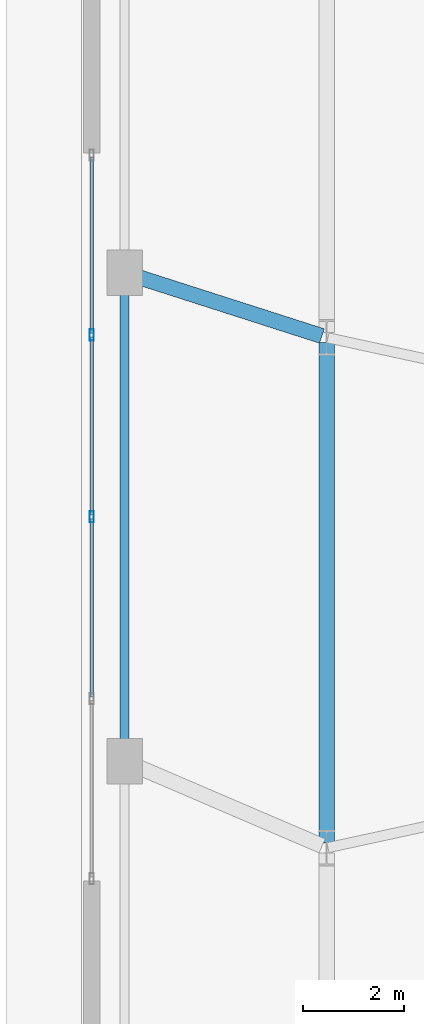
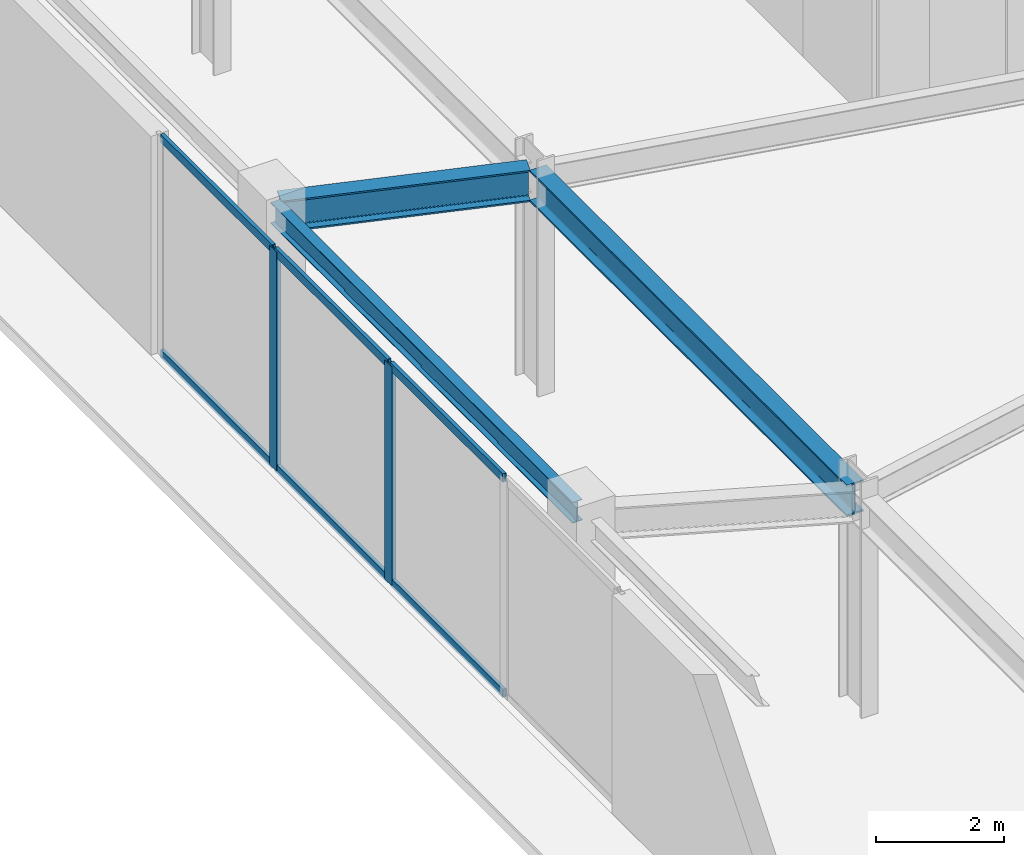
# One storey, part 6 of 21: 8 members, 3 beams, 1 element without a shape of its own.
"""IFC4 building model written with IfcOpenShell, lengths in metres."""

import ifcopenshell
import ifcopenshell.guid

model = None  # the IFC model being written
_history = None  # IfcOwnerHistory: only IFC2X3 demands one
_inside = {}  # id of a spatial element -> (the spatial element, [elements in it])
_under = {}  # id of a project, library or spatial element -> (it, [spatial elements below it])
_declared = {}  # id of a project -> (the project, [libraries it declares])
_typed = {}  # id of a type object -> (the type object, [elements of that type])
_made_of = {}  # id of a material, layer set ... -> (it, [elements and type objects made of it])


def new_model(schema):
    """Start an empty IFC model of exactly this schema.

    Asked for "IFC4X3", IfcOpenShell would pick the latest addendum, in which some entities
    have other attributes; the version numbers below select the first issue.
    IFC2X3 requires an IfcOwnerHistory on every rooted entity: one is made here for all.
    """
    global model, _history
    if schema == "IFC4X3":
        model = ifcopenshell.file(schema_version=(4, 3, 0, 0))
    else:
        model = ifcopenshell.file(schema=schema)
    _inside.clear()
    _under.clear()
    _declared.clear()
    _typed.clear()
    _made_of.clear()
    _history = None
    if model.schema == "IFC2X3":
        org = make("IfcOrganization", Name="unknown")
        user = make(
            "IfcPersonAndOrganization",
            ThePerson=make("IfcPerson", FamilyName="unknown"),
            TheOrganization=org,
        )
        app = make(
            "IfcApplication",
            ApplicationDeveloper=org,
            Version="unknown",
            ApplicationFullName="unknown",
            ApplicationIdentifier="unknown",
        )
        _history = make(
            "IfcOwnerHistory",
            OwningUser=user,
            OwningApplication=app,
            ChangeAction="ADDED",
            CreationDate=0,
        )
    return model


def make(cls, **values):
    """One entity of the class cls with the attributes given. An attribute that is None is left unset."""
    return model.create_entity(
        cls, **{name: value for name, value in values.items() if value is not None}
    )


def rooted(cls, **values):
    """An entity with a GlobalId (a new one), such as an element, a storey or a relation."""
    return make(cls, GlobalId=ifcopenshell.guid.new(), OwnerHistory=_history, **values)


def si_unit(unit_type, name, prefix=None):
    """IfcSIUnit, for example si_unit("LENGTHUNIT", "METRE", prefix="MILLI")."""
    return make("IfcSIUnit", UnitType=unit_type, Prefix=prefix, Name=name)


def assignment(units):
    """IfcUnitAssignment: the units of a project."""
    return None if units is None else make("IfcUnitAssignment", Units=units)


def point(xyz):
    """IfcCartesianPoint."""
    return None if xyz is None else make("IfcCartesianPoint", Coordinates=xyz)


def direction(xyz):
    """IfcDirection."""
    return None if xyz is None else make("IfcDirection", DirectionRatios=xyz)


def frame(location, z_axis=None, x_axis=None):
    """IfcAxis2Placement3D, a coordinate frame: its origin and axes. An axis left out is left unset."""
    return make(
        "IfcAxis2Placement3D",
        Location=point(location),
        Axis=direction(z_axis),
        RefDirection=direction(x_axis),
    )


def frame_2d(location, x_axis=None):
    """IfcAxis2Placement2D, a coordinate frame in the plane: its origin and x axis."""
    return make(
        "IfcAxis2Placement2D", Location=point(location), RefDirection=direction(x_axis)
    )


def origin():
    """The frame at (0, 0, 0) with its axes left unset."""
    return frame((0.0, 0.0, 0.0))


def origin_2d():
    """The frame at (0, 0) in the plane with its x axis left unset."""
    return frame_2d((0.0, 0.0))


def place(relative_to, where):
    """IfcLocalPlacement: puts the frame where relative to a parent placement (None: the world)."""
    return make(
        "IfcLocalPlacement", PlacementRelTo=relative_to, RelativePlacement=where
    )


def context(
    kind, dimensions, precision=None, world=None, true_north=None, identifier=None
):
    """IfcGeometricRepresentationContext, for example the 3D "Model" context."""
    return make(
        "IfcGeometricRepresentationContext",
        ContextIdentifier=identifier,
        ContextType=kind,
        CoordinateSpaceDimension=dimensions,
        Precision=precision,
        WorldCoordinateSystem=world,
        TrueNorth=true_north,
    )


def subcontext(parent, identifier, kind, view, scale=None):
    """IfcGeometricRepresentationSubContext, for example "Body" below "Model"."""
    return make(
        "IfcGeometricRepresentationSubContext",
        ContextIdentifier=identifier,
        ContextType=kind,
        ParentContext=parent,
        TargetScale=scale,
        TargetView=view,
    )


def project(units=None, contexts=None):
    """IfcProject with its units and contexts."""
    return rooted(
        "IfcProject",
        Name="project",
        RepresentationContexts=contexts,
        UnitsInContext=assignment(units),
    )


def spatial(cls, under=None, at=None, **own):
    """A site, building, storey or space (cls), placed at a placement, below another one or the project."""
    s = rooted(cls, ObjectPlacement=at, **own)
    if under is not None:
        _under.setdefault(under.id(), (under, []))[1].append(s)
    return s


def profile(cls, at=None, kind="AREA", **sizes):
    """A parametric profile (cls). Its sizes go by their IFC names, for example OverallWidth=200.0."""
    return make(cls, ProfileType=kind, Position=at, **sizes)


def hollow_rectangle(**sizes):
    """IfcRectangleHollowProfileDef."""
    return profile("IfcRectangleHollowProfileDef", **sizes)


def i_section(**sizes):
    """IfcIShapeProfileDef."""
    return profile("IfcIShapeProfileDef", **sizes)


def extrude(swept, where, along, depth):
    """IfcExtrudedAreaSolid: the profile swept, set in the frame where, extruded along a direction by depth."""
    return make(
        "IfcExtrudedAreaSolid",
        SweptArea=swept,
        Position=where,
        ExtrudedDirection=direction(along),
        Depth=depth,
    )


def shape(context_of_items, identifier, shape_type, items):
    """IfcShapeRepresentation: the items that make up one representation, for example the "Body"."""
    return make(
        "IfcShapeRepresentation",
        ContextOfItems=context_of_items,
        RepresentationIdentifier=identifier,
        RepresentationType=shape_type,
        Items=items,
    )


def material(Name=None, Category=None):
    """IfcMaterial."""
    return make("IfcMaterial", Name=Name, Category=Category)


def layer(
    of_material, thickness, ventilated=None, Name=None, Category=None, Priority=None
):
    """IfcMaterialLayer: one layer of a wall or slab, of a material (None: an air gap)."""
    return make(
        "IfcMaterialLayer",
        Material=of_material,
        LayerThickness=thickness,
        IsVentilated=ventilated,
        Name=Name,
        Category=Category,
        Priority=Priority,
    )


def layer_set(layers, Name=None):
    """IfcMaterialLayerSet."""
    return make("IfcMaterialLayerSet", MaterialLayers=layers, LayerSetName=Name)


def material_profile(
    of_material, cross_section, Name=None, Category=None, Priority=None
):
    """IfcMaterialProfile: a cross section and its material."""
    return make(
        "IfcMaterialProfile",
        Name=Name,
        Material=of_material,
        Profile=cross_section,
        Priority=Priority,
        Category=Category,
    )


def profile_set(profiles, Name=None, composite=None):
    """IfcMaterialProfileSet."""
    return make(
        "IfcMaterialProfileSet",
        Name=Name,
        MaterialProfiles=profiles,
        CompositeProfile=composite,
    )


def made_of(thing, what):
    """Note that an element or type object is made of a material, layer set ...; save() writes the relation."""
    if what is not None:
        _made_of.setdefault(what.id(), (what, []))[1].append(thing)
    return thing


def type_object(cls, material=None, **own):
    """A type object (cls), such as IfcWallType, which elements share."""
    return made_of(rooted(cls, **own), material)


def element(
    cls,
    number,
    at=None,
    inside=None,
    cuts=None,
    type_object=None,
    material=None,
    context=None,
    identifier="Body",
    shape_type=None,
    held_by="IfcProductDefinitionShape",
    body=None,
    shapes=None,
    **own,
):
    """One element of the class cls, such as IfcWall. Its Tag is "e" and its number.

    at: its placement. inside: the storey or other place that contains it. cuts: it is an
    opening in that element (IfcRelVoidsElement). A single representation is given by context,
    identifier, shape_type and body (its items); several are given by shapes. held_by: the class
    of the entity that holds the representations. save() writes the other relations.
    """
    e = rooted(cls, Tag="e%d" % number, ObjectPlacement=at, **own)
    if body is not None:
        shapes = [shape(context, identifier, shape_type, body)]
    if shapes is not None:
        e.Representation = make(held_by, Representations=shapes)
    if inside is not None:
        _inside.setdefault(inside.id(), (inside, []))[1].append(e)
    if cuts is not None:
        rooted(
            "IfcRelVoidsElement", RelatingBuildingElement=cuts, RelatedOpeningElement=e
        )
    if type_object is not None:
        _typed.setdefault(type_object.id(), (type_object, []))[1].append(e)
    return made_of(e, material)


def aggregate(whole, parts):
    """IfcRelAggregates: a whole, such as a stair, and the parts it consists of."""
    return rooted("IfcRelAggregates", RelatingObject=whole, RelatedObjects=parts)


def save(model, path):
    """Write the relations noted so far, then the file.

    IfcRelAggregates (storeys below a building ...), IfcRelContainedInSpatialStructure (elements
    in a storey), IfcRelDefinesByType, IfcRelAssociatesMaterial and IfcRelDeclares: one each for
    every whole, place, type object, material and project.
    """
    for whole, parts in _under.values():
        aggregate(whole, parts)
    for where, things in _inside.values():
        rooted(
            "IfcRelContainedInSpatialStructure",
            RelatedElements=things,
            RelatingStructure=where,
        )
    for kind, things in _typed.values():
        rooted("IfcRelDefinesByType", RelatedObjects=things, RelatingType=kind)
    for what, things in _made_of.values():
        rooted("IfcRelAssociatesMaterial", RelatedObjects=things, RelatingMaterial=what)
    for by, libraries in _declared.values():
        rooted("IfcRelDeclares", RelatingContext=by, RelatedDefinitions=libraries)
    model.write(path)


model = new_model("IFC4")

# Units and contexts
model_context = context("Model", 3, precision=1e-05, world=origin(), true_north=direction((0.0, 1.0)))
body_context = subcontext(model_context, "Body", "Model", "MODEL_VIEW")
ifc_project = project(units=[si_unit("LENGTHUNIT", "METRE"), si_unit("AREAUNIT", "SQUARE_METRE"), si_unit("VOLUMEUNIT", "CUBIC_METRE"), si_unit("PLANEANGLEUNIT", "RADIAN"), si_unit("MASSUNIT", "GRAM", prefix="KILO")], contexts=[model_context])

# Site, building, storey
site_placement = place(None, origin())
site = spatial("IfcSite", under=ifc_project, at=site_placement, CompositionType="ELEMENT")
building_placement = place(site_placement, origin())
building = spatial("IfcBuilding", under=site, at=building_placement, Name="Qobustan Lattice House", CompositionType="ELEMENT")
storey_placement = place(building_placement, frame((0.0, 0.0, 13.5)))
storey = spatial("IfcBuildingStorey", under=building, at=storey_placement, Name="L03", CompositionType="ELEMENT", Elevation=13.5)

# Beams
ifc_material_1 = material(Name="Steel S355", Category="steel")
ifc_material_profile_1 = material_profile(ifc_material_1, i_section(OverallWidth=0.300048828125, OverallDepth=0.60009765625, WebThickness=0.015380859375, FlangeThickness=0.030029296875, FilletRadius=0.027099609375, at=origin_2d()), Name="HEB600")
ifc_profile_set_1 = profile_set([ifc_material_profile_1], Name="Steel S355")
beam_type_1 = type_object("IfcBeamType", Name="BM-POD-HEB600", PredefinedType="USERDEFINED", material=ifc_profile_set_1)
beam_1_placement = place(storey_placement, frame((-32.14990234375, 4.949951171875, 3.8701171875), z_axis=(0.0, -1.0, 0.0), x_axis=(1.0, 0.0, 0.0)))
element("IfcBeam", 1, at=beam_1_placement, inside=storey, type_object=beam_type_1, Name="L03 tower base ring girder W2-W3", ObjectType="GIRDER", PredefinedType="USERDEFINED", context=body_context, shape_type="SweptSolid", body=[
    extrude(i_section(OverallWidth=0.300048828125, OverallDepth=0.60009765625, WebThickness=0.015380859375, FlangeThickness=0.030029296875, FilletRadius=0.027099609375, at=origin_2d()), origin(), (0.0, 0.0, 1.0), 9.89990234375),
])
beam_2_placement = place(storey_placement, frame((-36.03564453125, 6.296630859375, 3.8701171875), z_axis=(0.952198151545, -0.305481063561, 0.0), x_axis=(0.305481063561, 0.952198151545, 0.0)))
element("IfcBeam", 2, at=beam_2_placement, inside=storey, type_object=beam_type_1, Name="L03 podium radial girder PW3", ObjectType="GIRDER", PredefinedType="USERDEFINED", context=body_context, shape_type="SweptSolid", body=[
    extrude(i_section(OverallWidth=0.300048828125, OverallDepth=0.60009765625, WebThickness=0.015380859375, FlangeThickness=0.030029296875, FilletRadius=0.027099609375, at=origin_2d()), origin(), (0.0, 0.0, 1.0), 3.980712890625),
])
ifc_material_2 = material(Name="Steel S355", Category="steel")
ifc_material_profile_2 = material_profile(ifc_material_2, i_section(OverallWidth=0.179931640625, OverallDepth=0.39990234375, WebThickness=0.008544921875, FlangeThickness=0.013427734375, FilletRadius=0.02099609375, at=origin_2d()), Name="IPE400")
ifc_profile_set_2 = profile_set([ifc_material_profile_2], Name="Steel S355")
beam_type_2 = type_object("IfcBeamType", Name="BM-SPD-IPE400", PredefinedType="SPANDREL", material=ifc_profile_set_2)
beam_3_placement = place(storey_placement, frame((-36.14990234375, -3.21337890625, 3.969970703125), z_axis=(0.0, 1.0, 0.0), x_axis=(-1.0, 0.0, 0.0)))
element("IfcBeam", 3, at=beam_3_placement, inside=storey, type_object=beam_type_2, Name="L03 podium spandrel PW2-PW3", PredefinedType="SPANDREL", context=body_context, shape_type="SweptSolid", body=[
    extrude(i_section(OverallWidth=0.179931640625, OverallDepth=0.39990234375, WebThickness=0.008544921875, FlangeThickness=0.013427734375, FilletRadius=0.02099609375, at=origin_2d()), origin(), (0.0, 0.0, 1.0), 9.4267578125),
])

# Curtain wall, members
ifc_material_3 = material(Name="Anodised aluminium and low-E glazing", Category="aluminium")
ifc_layer = layer(ifc_material_3, 0.219970703125)
ifc_layer_set = layer_set([ifc_layer], Name="Anodised aluminium and low-E glazing")
curtain_wall_type = type_object("IfcCurtainWallType", Name="CW-POD-01", PredefinedType="USERDEFINED", material=ifc_layer_set)
curtain_wall_placement = place(storey_placement, origin())
curtain_wall = element("IfcCurtainWall", 4, at=curtain_wall_placement, inside=storey, type_object=curtain_wall_type, Name="L03 W podium colonnade curtain wall", ObjectType="CURTAIN WALL", PredefinedType="USERDEFINED")
ifc_material_4 = material(Name="Anodised aluminium EN AW-6063 T6", Category="aluminium")
ifc_material_profile_3 = material_profile(ifc_material_4, hollow_rectangle(XDim=0.080078125, YDim=0.219970703125, WallThickness=0.0048828125, at=origin_2d()), Name="CWM-220x80")
ifc_profile_set_3 = profile_set([ifc_material_profile_3], Name="Anodised aluminium EN AW-6063 T6")
member_type_1 = type_object("IfcMemberType", Name="CWM-MAIN-220", PredefinedType="MULLION", material=ifc_profile_set_3)
member_1_placement = place(storey_placement, frame((-36.800048828125, 1.5, 0.0), z_axis=(0.0, 0.0, 1.0), x_axis=(-1.0, 0.0, 0.0)))
member_1 = element("IfcMember", 5, at=member_1_placement, type_object=member_type_1, Name="CW-P1 mullion 3", PredefinedType="MULLION", context=body_context, shape_type="SweptSolid", body=[
    extrude(hollow_rectangle(XDim=0.080078125, YDim=0.219970703125, WallThickness=0.0048828125, at=origin_2d()), origin(), (0.0, 0.0, 1.0), 4.169921875),
])
member_2_placement = place(storey_placement, frame((-36.800048828125, 5.10009765625, 0.0), z_axis=(0.0, 0.0, 1.0), x_axis=(-1.0, 0.0, 0.0)))
member_2 = element("IfcMember", 6, at=member_2_placement, type_object=member_type_1, Name="CW-P1 mullion 4", PredefinedType="MULLION", context=body_context, shape_type="SweptSolid", body=[
    extrude(hollow_rectangle(XDim=0.080078125, YDim=0.219970703125, WallThickness=0.0048828125, at=origin_2d()), origin(), (0.0, 0.0, 1.0), 4.169921875),
])
ifc_material_5 = material(Name="Anodised aluminium EN AW-6063 T6", Category="aluminium")
ifc_material_profile_4 = material_profile(ifc_material_5, hollow_rectangle(XDim=0.06494140625, YDim=0.159912109375, WallThickness=0.00390625, at=origin_2d()), Name="CWT-160x65")
ifc_profile_set_4 = profile_set([ifc_material_profile_4], Name="Anodised aluminium EN AW-6063 T6")
member_type_2 = type_object("IfcMemberType", Name="CWT-HOR-160", PredefinedType="USERDEFINED", material=ifc_profile_set_4)
member_3_placement = place(storey_placement, frame((-36.800048828125, -2.06005859375, 0.032470703125), z_axis=(0.0, 1.0, 0.0), x_axis=(-1.0, 0.0, 0.0)))
member_3 = element("IfcMember", 7, at=member_3_placement, type_object=member_type_2, Name="CW-P1 transom 2.1", ObjectType="TRANSOM", PredefinedType="USERDEFINED", context=body_context, shape_type="SweptSolid", body=[
    extrude(hollow_rectangle(XDim=0.06494140625, YDim=0.159912109375, WallThickness=0.00390625, at=origin_2d()), origin(), (0.0, 0.0, 1.0), 3.52001953125),
])
member_4_placement = place(storey_placement, frame((-36.800048828125, -2.06005859375, 4.137451171875), z_axis=(0.0, 1.0, 0.0), x_axis=(-1.0, 0.0, 0.0)))
member_4 = element("IfcMember", 8, at=member_4_placement, type_object=member_type_2, Name="CW-P1 transom 2.2", ObjectType="TRANSOM", PredefinedType="USERDEFINED", context=body_context, shape_type="SweptSolid", body=[
    extrude(hollow_rectangle(XDim=0.06494140625, YDim=0.159912109375, WallThickness=0.00390625, at=origin_2d()), origin(), (0.0, 0.0, 1.0), 3.52001953125),
])
member_5_placement = place(storey_placement, frame((-36.800048828125, 1.5400390625, 0.032470703125), z_axis=(0.0, 1.0, 0.0), x_axis=(-1.0, 0.0, 0.0)))
member_5 = element("IfcMember", 9, at=member_5_placement, type_object=member_type_2, Name="CW-P1 transom 3.1", ObjectType="TRANSOM", PredefinedType="USERDEFINED", context=body_context, shape_type="SweptSolid", body=[
    extrude(hollow_rectangle(XDim=0.06494140625, YDim=0.159912109375, WallThickness=0.00390625, at=origin_2d()), origin(), (0.0, 0.0, 1.0), 3.52001953125),
])
member_6_placement = place(storey_placement, frame((-36.800048828125, 1.5400390625, 4.137451171875), z_axis=(0.0, 1.0, 0.0), x_axis=(-1.0, 0.0, 0.0)))
member_6 = element("IfcMember", 10, at=member_6_placement, type_object=member_type_2, Name="CW-P1 transom 3.2", ObjectType="TRANSOM", PredefinedType="USERDEFINED", context=body_context, shape_type="SweptSolid", body=[
    extrude(hollow_rectangle(XDim=0.06494140625, YDim=0.159912109375, WallThickness=0.00390625, at=origin_2d()), origin(), (0.0, 0.0, 1.0), 3.52001953125),
])
member_7_placement = place(storey_placement, frame((-36.800048828125, 5.139892578125, 0.032470703125), z_axis=(0.0, 1.0, 0.0), x_axis=(-1.0, 0.0, 0.0)))
member_7 = element("IfcMember", 11, at=member_7_placement, type_object=member_type_2, Name="CW-P1 transom 4.1", ObjectType="TRANSOM", PredefinedType="USERDEFINED", context=body_context, shape_type="SweptSolid", body=[
    extrude(hollow_rectangle(XDim=0.06494140625, YDim=0.159912109375, WallThickness=0.00390625, at=origin_2d()), origin(), (0.0, 0.0, 1.0), 3.480224609375),
])
member_8_placement = place(storey_placement, frame((-36.800048828125, 5.139892578125, 4.137451171875), z_axis=(0.0, 1.0, 0.0), x_axis=(-1.0, 0.0, 0.0)))
member_8 = element("IfcMember", 12, at=member_8_placement, type_object=member_type_2, Name="CW-P1 transom 4.2", ObjectType="TRANSOM", PredefinedType="USERDEFINED", context=body_context, shape_type="SweptSolid", body=[
    extrude(hollow_rectangle(XDim=0.06494140625, YDim=0.159912109375, WallThickness=0.00390625, at=origin_2d()), origin(), (0.0, 0.0, 1.0), 3.480224609375),
])
aggregate(curtain_wall, [member_1, member_2, member_3, member_4, member_5, member_6, member_7, member_8])

save(model, "model.ifc")
